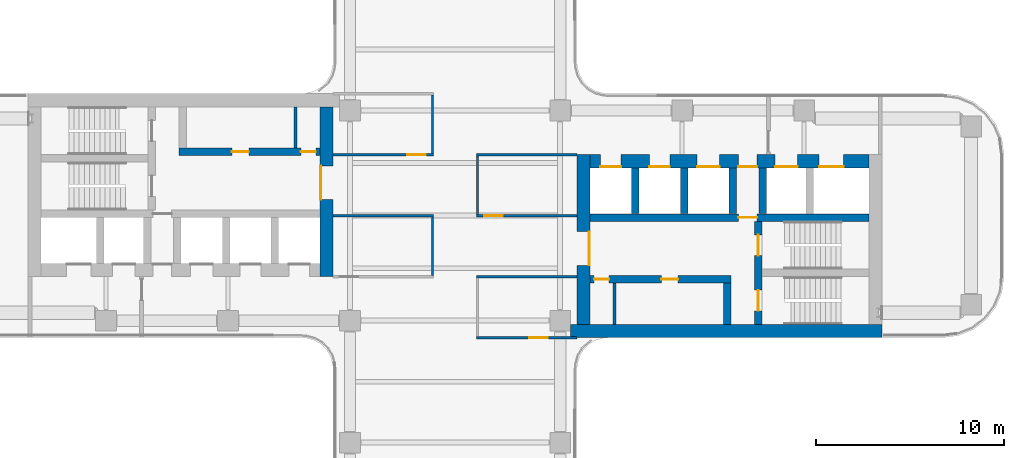
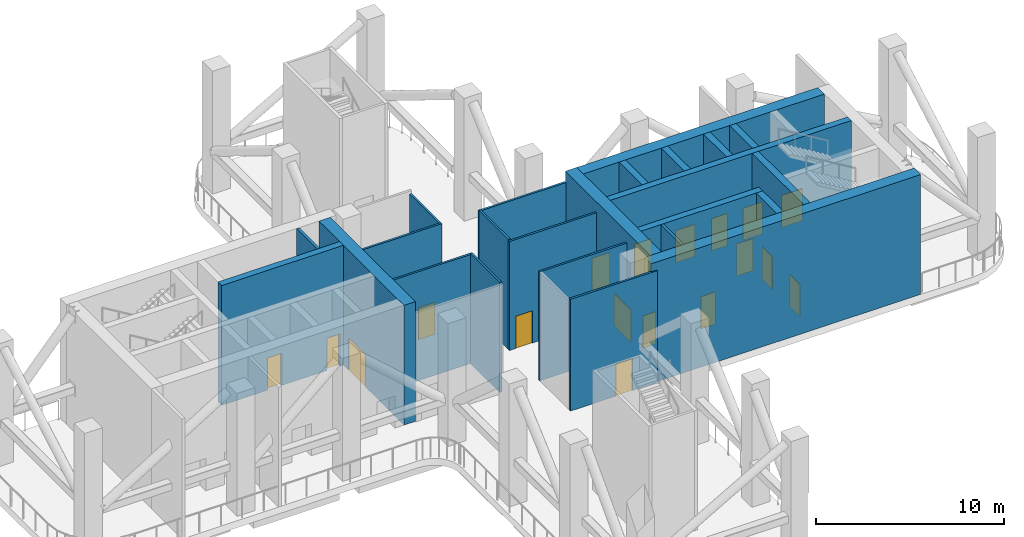
# One storey, part 5 of 11: 24 walls, 18 doors, 18 openings.
"""IFC4 building model written with IfcOpenShell, lengths in metres."""

from ifc_helpers import new_model, si_unit, direction, frame, frame_2d, origin, place, context, subcontext, project, spatial, rectangle, extrude, source, transform, mapped, material, layer, layer_set, type_object, element, fill, save


model = new_model("IFC4")

# Units and contexts
model_context = context("Model", 3, precision=1e-05, world=origin(), true_north=direction((0.0, 1.0)))
body_context = subcontext(model_context, "Body", "Model", "MODEL_VIEW")
ifc_project = project(units=[si_unit("LENGTHUNIT", "METRE"), si_unit("AREAUNIT", "SQUARE_METRE"), si_unit("VOLUMEUNIT", "CUBIC_METRE"), si_unit("PLANEANGLEUNIT", "RADIAN"), si_unit("MASSUNIT", "GRAM", prefix="KILO")], contexts=[model_context])

# Site, building, storey
site_placement = place(None, origin())
site = spatial("IfcSite", under=ifc_project, at=site_placement, CompositionType="ELEMENT")
building_placement = place(site_placement, origin())
building = spatial("IfcBuilding", under=site, at=building_placement, Name="Trellis Farm Tower", CompositionType="ELEMENT")
storey_placement = place(building_placement, frame((0.0, 0.0, 212.699951171875)))
storey = spatial("IfcBuildingStorey", under=building, at=storey_placement, Name="L47", CompositionType="ELEMENT", Elevation=212.699951171875)

# Wall, opening, door
ifc_material_1 = material(Name="Concrete C60/75", Category="concrete")
ifc_layer_1 = layer(ifc_material_1, 0.699951171875)
ifc_layer_set_1 = layer_set([ifc_layer_1], Name="CORE OUTER WALL 700 CONCRETE C60/75")
wall_type_1 = type_object("IfcWallType", Name="CORE OUTER WALL 700 CONCRETE C60/75", PredefinedType="SHEAR", material=ifc_layer_set_1)
shared_shape_1 = source(origin(), body_context, "Body", "SweptSolid", [
    extrude(rectangle(XDim=9.050048828125, YDim=0.699951171875, at=frame_2d((4.52490234375, 0.0))), origin(), (0.0, 0.0, 1.0), 7.800048828125),
])
wall_1_placement = place(storey_placement, frame((6.85009765625, -5.800048828125, 0.0), z_axis=(0.0, 0.0, 1.0), x_axis=(0.0, 1.0, 0.0)))
wall_1 = element("IfcWall", 1, at=wall_1_placement, inside=storey, type_object=wall_type_1, Name="Core wall", PredefinedType="SHEAR", context=body_context, shape_type="MappedRepresentation", body=[
    mapped(shared_shape_1, transform((0.0, 0.0, 0.0))),
])
shared_shape_2 = source(origin(), body_context, "Body", "SweptSolid", [
    extrude(rectangle(XDim=1.800048828125, YDim=2.10009765625, at=frame_2d((0.89990234375, 1.050048828125))), frame((0.0, 0.360107421875, 0.0), z_axis=(0.0, -1.0, 0.0), x_axis=(1.0, 0.0, 0.0)), (0.0, 0.0, 1.0), 0.72021484375),
])
opening_1_placement = place(wall_1_placement, frame((3.14990234375, 0.0, 0.0)))
opening_1 = element("IfcOpeningElement", 2, at=opening_1_placement, cuts=wall_1, Name="Opening DC1", PredefinedType="OPENING", context=body_context, shape_type="MappedRepresentation", body=[
    mapped(shared_shape_2, transform((0.0, 0.0, 0.0))),
])
ifc_material_2 = material(Name="Steel", Category="steel")
door_type_1 = type_object("IfcDoorType", Name="CORE FIRE DOOR DOUBLE 1800 X 2100", OperationType="DOUBLE_DOOR_SINGLE_SWING", PredefinedType="DOOR", material=ifc_material_2)
shared_shape_3 = source(origin(), body_context, "Body", "SweptSolid", [
    extrude(rectangle(XDim=1.800048828125, YDim=2.10009765625, at=frame_2d((0.89990234375, 1.050048828125))), frame((0.0, -0.27490234375, 0.0), z_axis=(0.0, -1.0, 0.0), x_axis=(1.0, 0.0, 0.0)), (0.0, 0.0, 1.0), 0.050048828125),
])
door_1_placement = place(opening_1_placement, origin())
door_1 = element("IfcDoor", 3, at=door_1_placement, inside=storey, type_object=door_type_1, Name="Core door", OperationType="DOUBLE_DOOR_SINGLE_SWING", OverallHeight=2.10009765625, OverallWidth=1.800048828125, PredefinedType="DOOR", context=body_context, shape_type="MappedRepresentation", body=[
    mapped(shared_shape_3, transform((0.0, 0.0, 0.0))),
])
fill(opening_1, door_1)

wall_2_placement = place(storey_placement, frame((-6.85009765625, 5.800048828125, 0.0), z_axis=(0.0, 0.0, 1.0), x_axis=(0.0, -1.0, 0.0)))
wall_2 = element("IfcWall", 4, at=wall_2_placement, inside=storey, type_object=wall_type_1, Name="Core wall", PredefinedType="SHEAR", context=body_context, shape_type="MappedRepresentation", body=[
    mapped(shared_shape_1, transform((0.0, 0.0, 0.0))),
])
opening_2_placement = place(wall_2_placement, frame((3.14990234375, 0.0, 0.0)))
opening_2 = element("IfcOpeningElement", 5, at=opening_2_placement, cuts=wall_2, Name="Opening DC87", PredefinedType="OPENING", context=body_context, shape_type="MappedRepresentation", body=[
    mapped(shared_shape_2, transform((0.0, 0.0, 0.0))),
])
door_2_placement = place(opening_2_placement, origin())
door_2 = element("IfcDoor", 6, at=door_2_placement, inside=storey, type_object=door_type_1, Name="Core door", OperationType="DOUBLE_DOOR_SINGLE_SWING", OverallHeight=2.10009765625, OverallWidth=1.800048828125, PredefinedType="DOOR", context=body_context, shape_type="MappedRepresentation", body=[
    mapped(shared_shape_3, transform((0.0, 0.0, 0.0))),
])
fill(opening_2, door_2)

# Walls
ifc_layer_2 = layer(ifc_material_1, 0.39990234375)
ifc_layer_set_2 = layer_set([ifc_layer_2], Name="CORE INNER WALL 400 CONCRETE C60/75")
wall_type_2 = type_object("IfcWallType", Name="CORE INNER WALL 400 CONCRETE C60/75", PredefinedType="SHEAR", material=ifc_layer_set_2)
shared_shape_4 = source(origin(), body_context, "Body", "SweptSolid", [
    extrude(rectangle(XDim=2.449951171875, YDim=0.39990234375, at=frame_2d((1.22509765625, 0.0))), origin(), (0.0, 0.0, 1.0), 7.800048828125),
])
for number, where, z_axis, x_axis, name in (
    (7, (9.60009765625, 0.10009765625, 0.0), (0.0, 0.0, 1.0), (0.0, 1.0, 0.0), "Core wall"),
    (8, (12.199951171875, 0.10009765625, 0.0), (0.0, 0.0, 1.0), (0.0, 1.0, 0.0), "Core wall"),
    (9, (14.800048828125, 0.10009765625, 0.0), (0.0, 0.0, 1.0), (0.0, 1.0, 0.0), "Core wall"),
    (10, (16.39990234375, 0.10009765625, 0.0), (0.0, 0.0, 1.0), (0.0, 1.0, 0.0), "Core wall"),
):
    element("IfcWall", number, at=place(storey_placement, frame(where, z_axis=z_axis, x_axis=x_axis)), inside=storey, type_object=wall_type_2, Name=name, PredefinedType="SHEAR", context=body_context, shape_type="MappedRepresentation", body=[
        mapped(shared_shape_4, transform((0.0, 0.0, 0.0))),
    ])
shared_shape_5 = source(origin(), body_context, "Body", "SweptSolid", [
    extrude(rectangle(XDim=16.60009765625, YDim=0.699951171875, at=frame_2d((8.300048828125, 0.0))), origin(), (0.0, 0.0, 1.0), 7.800048828125),
])
wall_3_placement = place(storey_placement, frame((6.14990234375, -6.14990234375, 0.0), z_axis=(0.0, 0.0, 1.0), x_axis=(1.0, 0.0, 0.0)))
element("IfcWall", 11, at=wall_3_placement, inside=storey, type_object=wall_type_1, Name="Core wall", PredefinedType="SHEAR", context=body_context, shape_type="MappedRepresentation", body=[
    mapped(shared_shape_5, transform((0.0, 0.0, 0.0))),
])

# Wall, openings, doors
shared_shape_6 = source(origin(), body_context, "Body", "SweptSolid", [
    extrude(rectangle(XDim=14.85009765625, YDim=0.699951171875, at=frame_2d((7.425048828125, 0.0))), origin(), (0.0, 0.0, 1.0), 7.800048828125),
])
wall_4_placement = place(storey_placement, frame((7.199951171875, 2.89990234375, 0.0), z_axis=(0.0, 0.0, 1.0), x_axis=(1.0, 0.0, 0.0)))
wall_4 = element("IfcWall", 12, at=wall_4_placement, inside=storey, type_object=wall_type_1, Name="Core wall", PredefinedType="SHEAR", context=body_context, shape_type="MappedRepresentation", body=[
    mapped(shared_shape_6, transform((0.0, 0.0, 0.0))),
])
shared_shape_7 = source(origin(), body_context, "Body", "SweptSolid", [
    extrude(rectangle(XDim=1.10009765625, YDim=2.10009765625, at=frame_2d((0.550048828125, 1.050048828125))), frame((0.0, 0.360107421875, 0.0), z_axis=(0.0, -1.0, 0.0), x_axis=(1.0, 0.0, 0.0)), (0.0, 0.0, 1.0), 0.72021484375),
])
opening_3_placement = place(wall_4_placement, frame((0.550048828125, 0.0, 0.0)))
opening_3 = element("IfcOpeningElement", 13, at=opening_3_placement, cuts=wall_4, Name="Opening LD4", PredefinedType="OPENING", context=body_context, shape_type="MappedRepresentation", body=[
    mapped(shared_shape_7, transform((0.0, 0.0, 0.0))),
])
opening_4_placement = place(wall_4_placement, frame((3.14990234375, 0.0, 0.0)))
opening_4 = element("IfcOpeningElement", 14, at=opening_4_placement, cuts=wall_4, Name="Opening LD5", PredefinedType="OPENING", context=body_context, shape_type="MappedRepresentation", body=[
    mapped(shared_shape_7, transform((0.0, 0.0, 0.0))),
])
shared_shape_8 = source(origin(), body_context, "Body", "SweptSolid", [
    extrude(rectangle(XDim=1.199951171875, YDim=2.10009765625, at=frame_2d((0.60009765625, 1.050048828125))), frame((0.0, 0.360107421875, 0.0), z_axis=(0.0, -1.0, 0.0), x_axis=(1.0, 0.0, 0.0)), (0.0, 0.0, 1.0), 0.72021484375),
])
opening_5_placement = place(wall_4_placement, frame((5.699951171875, 0.0, 0.0)))
opening_5 = element("IfcOpeningElement", 15, at=opening_5_placement, cuts=wall_4, Name="Opening LD6", PredefinedType="OPENING", context=body_context, shape_type="MappedRepresentation", body=[
    mapped(shared_shape_8, transform((0.0, 0.0, 0.0))),
])
shared_shape_9 = source(origin(), body_context, "Body", "SweptSolid", [
    extrude(rectangle(XDim=1.300048828125, YDim=2.10009765625, at=frame_2d((0.64990234375, 1.050048828125))), frame((0.0, 0.360107421875, 0.0), z_axis=(0.0, -1.0, 0.0), x_axis=(1.0, 0.0, 0.0)), (0.0, 0.0, 1.0), 0.72021484375),
])
opening_6_placement = place(wall_4_placement, frame((12.199951171875, 0.0, 0.0)))
opening_6 = element("IfcOpeningElement", 16, at=opening_6_placement, cuts=wall_4, Name="Opening LD7", PredefinedType="OPENING", context=body_context, shape_type="MappedRepresentation", body=[
    mapped(shared_shape_9, transform((0.0, 0.0, 0.0))),
])
opening_7_placement = place(wall_4_placement, frame((9.85009765625, 0.0, 0.0)))
opening_7 = element("IfcOpeningElement", 17, at=opening_7_placement, cuts=wall_4, Name="Opening LD8", PredefinedType="OPENING", context=body_context, shape_type="MappedRepresentation", body=[
    mapped(shared_shape_8, transform((0.0, 0.0, 0.0))),
])
shared_shape_10 = source(origin(), body_context, "Body", "SweptSolid", [
    extrude(rectangle(XDim=1.0, YDim=2.10009765625, at=frame_2d((0.5, 1.050048828125))), frame((0.0, 0.360107421875, 0.0), z_axis=(0.0, -1.0, 0.0), x_axis=(1.0, 0.0, 0.0)), (0.0, 0.0, 1.0), 0.72021484375),
])
opening_8_placement = place(wall_4_placement, frame((7.89990234375, 0.0, 0.0)))
opening_8 = element("IfcOpeningElement", 18, at=opening_8_placement, cuts=wall_4, Name="Opening DC6", PredefinedType="OPENING", context=body_context, shape_type="MappedRepresentation", body=[
    mapped(shared_shape_10, transform((0.0, 0.0, 0.0))),
])
door_type_2 = type_object("IfcDoorType", Name="CORE FIRE DOOR 1000 X 2100", OperationType="NOTDEFINED", PredefinedType="DOOR", material=ifc_material_2)
shared_shape_11 = source(origin(), body_context, "Body", "SweptSolid", [
    extrude(rectangle(XDim=1.0, YDim=2.10009765625, at=frame_2d((0.5, 1.050048828125))), frame((0.0, -0.27490234375, 0.0), z_axis=(0.0, -1.0, 0.0), x_axis=(1.0, 0.0, 0.0)), (0.0, 0.0, 1.0), 0.050048828125),
])
door_3_placement = place(opening_8_placement, origin())
door_3 = element("IfcDoor", 19, at=door_3_placement, inside=storey, type_object=door_type_2, Name="Core door", OperationType="SINGLE_SWING_LEFT", OverallHeight=2.10009765625, OverallWidth=1.0, PredefinedType="DOOR", context=body_context, shape_type="MappedRepresentation", body=[
    mapped(shared_shape_11, transform((0.0, 0.0, 0.0))),
])
fill(opening_8, door_3)
ifc_material_3 = material(Name="Stainless steel", Category="steel")
door_type_3 = type_object("IfcDoorType", Name="LIFT LANDING DOOR 1300 X 2100", OperationType="DOUBLE_DOOR_SLIDING", PredefinedType="DOOR", material=ifc_material_3)
shared_shape_12 = source(origin(), body_context, "Body", "SweptSolid", [
    extrude(rectangle(XDim=1.300048828125, YDim=2.10009765625, at=frame_2d((0.64990234375, 1.050048828125))), frame((0.0, -0.27490234375, 0.0), z_axis=(0.0, -1.0, 0.0), x_axis=(1.0, 0.0, 0.0)), (0.0, 0.0, 1.0), 0.050048828125),
])
door_4_placement = place(opening_6_placement, origin())
door_4 = element("IfcDoor", 20, at=door_4_placement, inside=storey, type_object=door_type_3, Name="Lift landing door", OperationType="DOUBLE_DOOR_SLIDING", OverallHeight=2.10009765625, OverallWidth=1.300048828125, PredefinedType="DOOR", context=body_context, shape_type="MappedRepresentation", body=[
    mapped(shared_shape_12, transform((0.0, 0.0, 0.0))),
])
fill(opening_6, door_4)
door_type_4 = type_object("IfcDoorType", Name="LIFT LANDING DOOR 1200 X 2100", OperationType="DOUBLE_DOOR_SLIDING", PredefinedType="DOOR", material=ifc_material_3)
shared_shape_13 = source(origin(), body_context, "Body", "SweptSolid", [
    extrude(rectangle(XDim=1.199951171875, YDim=2.10009765625, at=frame_2d((0.60009765625, 1.050048828125))), frame((0.0, -0.27490234375, 0.0), z_axis=(0.0, -1.0, 0.0), x_axis=(1.0, 0.0, 0.0)), (0.0, 0.0, 1.0), 0.050048828125),
])
door_5_placement = place(opening_5_placement, origin())
door_5 = element("IfcDoor", 21, at=door_5_placement, inside=storey, type_object=door_type_4, Name="Lift landing door", OperationType="DOUBLE_DOOR_SLIDING", OverallHeight=2.10009765625, OverallWidth=1.199951171875, PredefinedType="DOOR", context=body_context, shape_type="MappedRepresentation", body=[
    mapped(shared_shape_13, transform((0.0, 0.0, 0.0))),
])
fill(opening_5, door_5)
door_6_placement = place(opening_7_placement, origin())
door_6 = element("IfcDoor", 22, at=door_6_placement, inside=storey, type_object=door_type_4, Name="Lift landing door", OperationType="DOUBLE_DOOR_SLIDING", OverallHeight=2.10009765625, OverallWidth=1.199951171875, PredefinedType="DOOR", context=body_context, shape_type="MappedRepresentation", body=[
    mapped(shared_shape_13, transform((0.0, 0.0, 0.0))),
])
fill(opening_7, door_6)
door_type_5 = type_object("IfcDoorType", Name="LIFT LANDING DOOR 1100 X 2100", OperationType="DOUBLE_DOOR_SLIDING", PredefinedType="DOOR", material=ifc_material_3)
shared_shape_14 = source(origin(), body_context, "Body", "SweptSolid", [
    extrude(rectangle(XDim=1.10009765625, YDim=2.10009765625, at=frame_2d((0.550048828125, 1.050048828125))), frame((0.0, -0.27490234375, 0.0), z_axis=(0.0, -1.0, 0.0), x_axis=(1.0, 0.0, 0.0)), (0.0, 0.0, 1.0), 0.050048828125),
])
door_7_placement = place(opening_3_placement, origin())
door_7 = element("IfcDoor", 23, at=door_7_placement, inside=storey, type_object=door_type_5, Name="Lift landing door", OperationType="DOUBLE_DOOR_SLIDING", OverallHeight=2.10009765625, OverallWidth=1.10009765625, PredefinedType="DOOR", context=body_context, shape_type="MappedRepresentation", body=[
    mapped(shared_shape_14, transform((0.0, 0.0, 0.0))),
])
fill(opening_3, door_7)
door_8_placement = place(opening_4_placement, origin())
door_8 = element("IfcDoor", 24, at=door_8_placement, inside=storey, type_object=door_type_5, Name="Lift landing door", OperationType="DOUBLE_DOOR_SLIDING", OverallHeight=2.10009765625, OverallWidth=1.10009765625, PredefinedType="DOOR", context=body_context, shape_type="MappedRepresentation", body=[
    mapped(shared_shape_14, transform((0.0, 0.0, 0.0))),
])
fill(opening_4, door_8)

shared_shape_15 = source(origin(), body_context, "Body", "SweptSolid", [
    extrude(rectangle(XDim=7.5, YDim=0.39990234375, at=frame_2d((3.75, 0.0))), origin(), (0.0, 0.0, 1.0), 7.800048828125),
])
wall_5_placement = place(storey_placement, frame((7.199951171875, -3.39990234375, 0.0), z_axis=(0.0, 0.0, 1.0), x_axis=(1.0, 0.0, 0.0)))
wall_5 = element("IfcWall", 25, at=wall_5_placement, inside=storey, type_object=wall_type_2, Name="Core wall", PredefinedType="SHEAR", context=body_context, shape_type="MappedRepresentation", body=[
    mapped(shared_shape_15, transform((0.0, 0.0, 0.0))),
])
shared_shape_16 = source(origin(), body_context, "Body", "SweptSolid", [
    extrude(rectangle(XDim=0.800048828125, YDim=2.10009765625, at=frame_2d((0.39990234375, 1.050048828125))), frame((0.0, 0.2099609375, 0.0), z_axis=(0.0, -1.0, 0.0), x_axis=(1.0, 0.0, 0.0)), (0.0, 0.0, 1.0), 0.419921875),
])
opening_9_placement = place(wall_5_placement, frame((0.21240234375, 0.0, 0.0)))
opening_9 = element("IfcOpeningElement", 26, at=opening_9_placement, cuts=wall_5, Name="Opening DC51", PredefinedType="OPENING", context=body_context, shape_type="MappedRepresentation", body=[
    mapped(shared_shape_16, transform((0.0, 0.0, 0.0))),
])
shared_shape_17 = source(origin(), body_context, "Body", "SweptSolid", [
    extrude(rectangle(XDim=0.89990234375, YDim=2.10009765625, at=frame_2d((0.449951171875, 1.050048828125))), frame((0.0, 0.2099609375, 0.0), z_axis=(0.0, -1.0, 0.0), x_axis=(1.0, 0.0, 0.0)), (0.0, 0.0, 1.0), 0.419921875),
])
opening_10_placement = place(wall_5_placement, frame((3.78759765625, 0.0, 0.0)))
opening_10 = element("IfcOpeningElement", 27, at=opening_10_placement, cuts=wall_5, Name="Opening DC60", PredefinedType="OPENING", context=body_context, shape_type="MappedRepresentation", body=[
    mapped(shared_shape_17, transform((0.0, 0.0, 0.0))),
])
door_type_6 = type_object("IfcDoorType", Name="CORE FIRE DOOR 900 X 2100", OperationType="NOTDEFINED", PredefinedType="DOOR", material=ifc_material_2)
shared_shape_18 = source(origin(), body_context, "Body", "SweptSolid", [
    extrude(rectangle(XDim=0.89990234375, YDim=2.10009765625, at=frame_2d((0.449951171875, 1.050048828125))), frame((0.0, 0.02490234375, 0.0), z_axis=(0.0, -1.0, 0.0), x_axis=(1.0, 0.0, 0.0)), (0.0, 0.0, 1.0), 0.050048828125),
])
door_9_placement = place(opening_10_placement, origin())
door_9 = element("IfcDoor", 28, at=door_9_placement, inside=storey, type_object=door_type_6, Name="Core door", OperationType="SINGLE_SWING_RIGHT", OverallHeight=2.10009765625, OverallWidth=0.89990234375, PredefinedType="DOOR", context=body_context, shape_type="MappedRepresentation", body=[
    mapped(shared_shape_18, transform((0.0, 0.0, 0.0))),
])
fill(opening_10, door_9)
door_type_7 = type_object("IfcDoorType", Name="CORE FIRE DOOR 800 X 2100", OperationType="NOTDEFINED", PredefinedType="DOOR", material=ifc_material_2)
shared_shape_19 = source(origin(), body_context, "Body", "SweptSolid", [
    extrude(rectangle(XDim=0.800048828125, YDim=2.10009765625, at=frame_2d((0.39990234375, 1.050048828125))), frame((0.0, 0.02490234375, 0.0), z_axis=(0.0, -1.0, 0.0), x_axis=(1.0, 0.0, 0.0)), (0.0, 0.0, 1.0), 0.050048828125),
])
door_10_placement = place(opening_9_placement, origin())
door_10 = element("IfcDoor", 29, at=door_10_placement, inside=storey, type_object=door_type_7, Name="Core door", OperationType="SINGLE_SWING_LEFT", OverallHeight=2.10009765625, OverallWidth=0.800048828125, PredefinedType="DOOR", context=body_context, shape_type="MappedRepresentation", body=[
    mapped(shared_shape_19, transform((0.0, 0.0, 0.0))),
])
fill(opening_9, door_10)

wall_6_placement = place(storey_placement, frame((-7.199951171875, 3.39990234375, 0.0), z_axis=(0.0, 0.0, 1.0), x_axis=(-1.0, 0.0, 0.0)))
wall_6 = element("IfcWall", 30, at=wall_6_placement, inside=storey, type_object=wall_type_2, Name="Core wall", PredefinedType="SHEAR", context=body_context, shape_type="MappedRepresentation", body=[
    mapped(shared_shape_15, transform((0.0, 0.0, 0.0))),
])
opening_11_placement = place(wall_6_placement, frame((0.21240234375, 0.0, 0.0)))
opening_11 = element("IfcOpeningElement", 31, at=opening_11_placement, cuts=wall_6, Name="Opening DC137", PredefinedType="OPENING", context=body_context, shape_type="MappedRepresentation", body=[
    mapped(shared_shape_16, transform((0.0, 0.0, 0.0))),
])
opening_12_placement = place(wall_6_placement, frame((3.78759765625, 0.0, 0.0)))
opening_12 = element("IfcOpeningElement", 32, at=opening_12_placement, cuts=wall_6, Name="Opening DC146", PredefinedType="OPENING", context=body_context, shape_type="MappedRepresentation", body=[
    mapped(shared_shape_17, transform((0.0, 0.0, 0.0))),
])
door_11_placement = place(opening_12_placement, origin())
door_11 = element("IfcDoor", 33, at=door_11_placement, inside=storey, type_object=door_type_6, Name="Core door", OperationType="SINGLE_SWING_RIGHT", OverallHeight=2.10009765625, OverallWidth=0.89990234375, PredefinedType="DOOR", context=body_context, shape_type="MappedRepresentation", body=[
    mapped(shared_shape_18, transform((0.0, 0.0, 0.0))),
])
fill(opening_12, door_11)
door_12_placement = place(opening_11_placement, origin())
door_12 = element("IfcDoor", 34, at=door_12_placement, inside=storey, type_object=door_type_7, Name="Core door", OperationType="SINGLE_SWING_LEFT", OverallHeight=2.10009765625, OverallWidth=0.800048828125, PredefinedType="DOOR", context=body_context, shape_type="MappedRepresentation", body=[
    mapped(shared_shape_19, transform((0.0, 0.0, 0.0))),
])
fill(opening_11, door_12)

# Wall, opening, door
shared_shape_20 = source(origin(), body_context, "Body", "SweptSolid", [
    extrude(rectangle(XDim=14.85009765625, YDim=0.39990234375, at=frame_2d((7.425048828125, 0.0))), origin(), (0.0, 0.0, 1.0), 7.800048828125),
])
wall_7_placement = place(storey_placement, frame((7.199951171875, -0.10009765625, 0.0), z_axis=(0.0, 0.0, 1.0), x_axis=(1.0, 0.0, 0.0)))
wall_7 = element("IfcWall", 35, at=wall_7_placement, inside=storey, type_object=wall_type_2, Name="Core wall", PredefinedType="SHEAR", context=body_context, shape_type="MappedRepresentation", body=[
    mapped(shared_shape_20, transform((0.0, 0.0, 0.0))),
])
shared_shape_21 = source(origin(), body_context, "Body", "SweptSolid", [
    extrude(rectangle(XDim=1.0, YDim=2.10009765625, at=frame_2d((0.5, 1.050048828125))), frame((0.0, 0.2099609375, 0.0), z_axis=(0.0, -1.0, 0.0), x_axis=(1.0, 0.0, 0.0)), (0.0, 0.0, 1.0), 0.419921875),
])
opening_13_placement = place(wall_7_placement, frame((7.89990234375, 0.0, 0.0)))
opening_13 = element("IfcOpeningElement", 36, at=opening_13_placement, cuts=wall_7, Name="Opening DC5", PredefinedType="OPENING", context=body_context, shape_type="MappedRepresentation", body=[
    mapped(shared_shape_21, transform((0.0, 0.0, 0.0))),
])
shared_shape_22 = source(origin(), body_context, "Body", "SweptSolid", [
    extrude(rectangle(XDim=1.0, YDim=2.10009765625, at=frame_2d((0.5, 1.050048828125))), frame((0.0, 0.02490234375, 0.0), z_axis=(0.0, -1.0, 0.0), x_axis=(1.0, 0.0, 0.0)), (0.0, 0.0, 1.0), 0.050048828125),
])
door_13_placement = place(opening_13_placement, origin())
door_13 = element("IfcDoor", 37, at=door_13_placement, inside=storey, type_object=door_type_2, Name="Core door", OperationType="SINGLE_SWING_RIGHT", OverallHeight=2.10009765625, OverallWidth=1.0, PredefinedType="DOOR", context=body_context, shape_type="MappedRepresentation", body=[
    mapped(shared_shape_22, transform((0.0, 0.0, 0.0))),
])
fill(opening_13, door_13)

# Wall, openings, doors
shared_shape_23 = source(origin(), body_context, "Body", "SweptSolid", [
    extrude(rectangle(XDim=5.5, YDim=0.39990234375, at=frame_2d((2.75, 0.0))), origin(), (0.0, 0.0, 1.0), 7.800048828125),
])
wall_8_placement = place(storey_placement, frame((16.14990234375, -5.800048828125, 0.0), z_axis=(0.0, 0.0, 1.0), x_axis=(0.0, 1.0, 0.0)))
wall_8 = element("IfcWall", 38, at=wall_8_placement, inside=storey, type_object=wall_type_2, Name="Core wall", PredefinedType="SHEAR", context=body_context, shape_type="MappedRepresentation", body=[
    mapped(shared_shape_23, transform((0.0, 0.0, 0.0))),
])
shared_shape_24 = source(origin(), body_context, "Body", "SweptSolid", [
    extrude(rectangle(XDim=1.10009765625, YDim=2.10009765625, at=frame_2d((0.550048828125, 1.050048828125))), frame((0.0, 0.2099609375, 0.0), z_axis=(0.0, -1.0, 0.0), x_axis=(1.0, 0.0, 0.0)), (0.0, 0.0, 1.0), 0.419921875),
])
opening_14_placement = place(wall_8_placement, frame((0.72509765625, 0.0, 0.0)))
opening_14 = element("IfcOpeningElement", 39, at=opening_14_placement, cuts=wall_8, Name="Opening DC2", PredefinedType="OPENING", context=body_context, shape_type="MappedRepresentation", body=[
    mapped(shared_shape_24, transform((0.0, 0.0, 0.0))),
])
opening_15_placement = place(wall_8_placement, frame((3.675048828125, 0.0, 0.0)))
opening_15 = element("IfcOpeningElement", 40, at=opening_15_placement, cuts=wall_8, Name="Opening DC3", PredefinedType="OPENING", context=body_context, shape_type="MappedRepresentation", body=[
    mapped(shared_shape_24, transform((0.0, 0.0, 0.0))),
])
door_type_8 = type_object("IfcDoorType", Name="CORE FIRE DOOR 1100 X 2100", OperationType="NOTDEFINED", PredefinedType="DOOR", material=ifc_material_2)
shared_shape_25 = source(origin(), body_context, "Body", "SweptSolid", [
    extrude(rectangle(XDim=1.10009765625, YDim=2.10009765625, at=frame_2d((0.550048828125, 1.050048828125))), frame((0.0, 0.02490234375, 0.0), z_axis=(0.0, -1.0, 0.0), x_axis=(1.0, 0.0, 0.0)), (0.0, 0.0, 1.0), 0.050048828125),
])
door_14_placement = place(opening_14_placement, origin())
door_14 = element("IfcDoor", 41, at=door_14_placement, inside=storey, type_object=door_type_8, Name="Core door", OperationType="SINGLE_SWING_RIGHT", OverallHeight=2.10009765625, OverallWidth=1.10009765625, PredefinedType="DOOR", context=body_context, shape_type="MappedRepresentation", body=[
    mapped(shared_shape_25, transform((0.0, 0.0, 0.0))),
])
fill(opening_14, door_14)
door_15_placement = place(opening_15_placement, origin())
door_15 = element("IfcDoor", 42, at=door_15_placement, inside=storey, type_object=door_type_8, Name="Core door", OperationType="SINGLE_SWING_LEFT", OverallHeight=2.10009765625, OverallWidth=1.10009765625, PredefinedType="DOOR", context=body_context, shape_type="MappedRepresentation", body=[
    mapped(shared_shape_25, transform((0.0, 0.0, 0.0))),
])
fill(opening_15, door_15)

# Walls
shared_shape_26 = source(origin(), body_context, "Body", "SweptSolid", [
    extrude(rectangle(XDim=2.199951171875, YDim=0.39990234375, at=frame_2d((1.10009765625, 0.0))), origin(), (0.0, 0.0, 1.0), 7.800048828125),
])
wall_9_placement = place(storey_placement, frame((14.5, -5.800048828125, 0.0), z_axis=(0.0, 0.0, 1.0), x_axis=(0.0, 1.0, 0.0)))
element("IfcWall", 43, at=wall_9_placement, inside=storey, type_object=wall_type_2, Name="Core wall", PredefinedType="SHEAR", context=body_context, shape_type="MappedRepresentation", body=[
    mapped(shared_shape_26, transform((0.0, 0.0, 0.0))),
])
ifc_material_4 = material(Name="Masonry blockwork", Category="masonry")
ifc_layer_3 = layer(ifc_material_4, 0.14990234375)
ifc_layer_set_3 = layer_set([ifc_layer_3], Name="CORE PARTITION 150 BLOCKWORK")
wall_type_3 = type_object("IfcWallType", Name="CORE PARTITION 150 BLOCKWORK", PredefinedType="PARTITIONING", material=ifc_layer_set_3)
shared_shape_27 = source(origin(), body_context, "Body", "SweptSolid", [
    extrude(rectangle(XDim=2.199951171875, YDim=0.14990234375, at=frame_2d((1.10009765625, 0.0))), origin(), (0.0, 0.0, 1.0), 7.800048828125),
])
for number, where, z_axis, x_axis, name in (
    (44, (8.5, -5.800048828125, 0.0), (0.0, 0.0, 1.0), (0.0, 1.0, 0.0), "Core room partition"),
    (45, (-8.5, 5.800048828125, 0.0), (0.0, 0.0, 1.0), (0.0, -1.0, 0.0), "Core room partition"),
):
    element("IfcWall", number, at=place(storey_placement, frame(where, z_axis=z_axis, x_axis=x_axis)), inside=storey, type_object=wall_type_3, Name=name, PredefinedType="PARTITIONING", context=body_context, shape_type="MappedRepresentation", body=[
        mapped(shared_shape_27, transform((0.0, 0.0, 0.0))),
    ])
ifc_material_5 = material(Name="Plasterboard on steel studs, mineral wool", Category="steel")
ifc_layer_4 = layer(ifc_material_5, 0.125)
ifc_layer_set_4 = layer_set([ifc_layer_4], Name="PARTITION 125 STUD EI 60")
wall_type_4 = type_object("IfcWallType", Name="PARTITION 125 STUD EI 60", PredefinedType="PARTITIONING", material=ifc_layer_set_4)
shared_shape_28 = source(origin(), body_context, "Body", "SweptSolid", [
    extrude(rectangle(XDim=3.125, YDim=0.125, at=frame_2d((1.5625, 0.0))), origin(), (0.0, 0.0, 1.0), 7.096435546875),
])
wall_10_placement = place(storey_placement, frame((-1.199951171875, 3.3125, 0.0), z_axis=(0.0, 0.0, 1.0), x_axis=(0.0, 1.0, 0.0)))
element("IfcWall", 46, at=wall_10_placement, inside=storey, type_object=wall_type_4, Name="Partition PW1", PredefinedType="PARTITIONING", context=body_context, shape_type="MappedRepresentation", body=[
    mapped(shared_shape_28, transform((0.0, 0.0, 0.0))),
])
shared_shape_29 = source(origin(), body_context, "Body", "SweptSolid", [
    extrude(rectangle(XDim=3.125, YDim=0.125, at=frame_2d((1.5625, 0.0))), origin(), (0.0, 0.0, 1.0), 7.16796875),
])
for number, where, z_axis, x_axis, name in (
    (47, (-1.199951171875, -3.1875, 0.0), (0.0, 0.0, 1.0), (0.0, 1.0, 0.0), "Partition PW1"),
    (48, (1.199951171875, 0.0625, 0.0), (0.0, 0.0, 1.0), (0.0, 1.0, 0.0), "Partition PW1"),
):
    element("IfcWall", number, at=place(storey_placement, frame(where, z_axis=z_axis, x_axis=x_axis)), inside=storey, type_object=wall_type_4, Name=name, PredefinedType="PARTITIONING", context=body_context, shape_type="MappedRepresentation", body=[
        mapped(shared_shape_29, transform((0.0, 0.0, 0.0))),
    ])
shared_shape_30 = source(origin(), body_context, "Body", "SweptSolid", [
    extrude(rectangle(XDim=5.362548828125, YDim=0.125, at=frame_2d((2.68115234375, 0.0))), origin(), (0.0, 0.0, 1.0), 7.096435546875),
])
for number, where, z_axis, x_axis, name in (
    (49, (6.5, -3.25, 0.0), (0.0, 0.0, 1.0), (-1.0, 0.0, 0.0), "Partition PW1"),
    (50, (-6.5, 0.0, 0.0), (0.0, 0.0, 1.0), (1.0, 0.0, 0.0), "Partition PW1"),
):
    element("IfcWall", number, at=place(storey_placement, frame(where, z_axis=z_axis, x_axis=x_axis)), inside=storey, type_object=wall_type_4, Name=name, PredefinedType="PARTITIONING", context=body_context, shape_type="MappedRepresentation", body=[
        mapped(shared_shape_30, transform((0.0, 0.0, 0.0))),
    ])

# Wall, opening, door
wall_11_placement = place(storey_placement, frame((1.137451171875, 0.0, 0.0), z_axis=(0.0, 0.0, 1.0), x_axis=(1.0, 0.0, 0.0)))
wall_11 = element("IfcWall", 51, at=wall_11_placement, inside=storey, type_object=wall_type_4, Name="Partition PW1", PredefinedType="PARTITIONING", context=body_context, shape_type="MappedRepresentation", body=[
    mapped(shared_shape_30, transform((0.0, 0.0, 0.0))),
])
shared_shape_31 = source(origin(), body_context, "Body", "SweptSolid", [
    extrude(rectangle(XDim=1.0, YDim=2.10009765625, at=frame_2d((0.5, 1.050048828125))), frame((0.0, 0.072509765625, 0.0), z_axis=(0.0, -1.0, 0.0), x_axis=(1.0, 0.0, 0.0)), (0.0, 0.0, 1.0), 0.14501953125),
])
opening_16_placement = place(wall_11_placement, frame((0.41259765625, 0.0, 0.0)))
opening_16 = element("IfcOpeningElement", 52, at=opening_16_placement, cuts=wall_11, Name="Opening D303", PredefinedType="OPENING", context=body_context, shape_type="MappedRepresentation", body=[
    mapped(shared_shape_31, transform((0.0, 0.0, 0.0))),
])
ifc_material_6 = material(Name="Fire-rated timber door leaf in a hollow metal frame", Category="wood")
door_type_9 = type_object("IfcDoorType", Name="DOOR 1000x2100 FD60", OperationType="NOTDEFINED", PredefinedType="DOOR", material=ifc_material_6)
door_16_placement = place(opening_16_placement, origin())
door_16 = element("IfcDoor", 53, at=door_16_placement, inside=storey, type_object=door_type_9, Name="Door D303", OperationType="SINGLE_SWING_LEFT", OverallHeight=2.10009765625, OverallWidth=1.0, PredefinedType="DOOR", context=body_context, shape_type="MappedRepresentation", body=[
    mapped(shared_shape_22, transform((0.0, 0.0, 0.0))),
])
fill(opening_16, door_16)

wall_12_placement = place(storey_placement, frame((-6.5, 3.25, 0.0), z_axis=(0.0, 0.0, 1.0), x_axis=(1.0, 0.0, 0.0)))
wall_12 = element("IfcWall", 54, at=wall_12_placement, inside=storey, type_object=wall_type_4, Name="Partition PW1", PredefinedType="PARTITIONING", context=body_context, shape_type="MappedRepresentation", body=[
    mapped(shared_shape_30, transform((0.0, 0.0, 0.0))),
])
opening_17_placement = place(wall_12_placement, frame((3.949951171875, 0.0, 0.0)))
opening_17 = element("IfcOpeningElement", 55, at=opening_17_placement, cuts=wall_12, Name="Opening D304", PredefinedType="OPENING", context=body_context, shape_type="MappedRepresentation", body=[
    mapped(shared_shape_31, transform((0.0, 0.0, 0.0))),
])
door_17_placement = place(opening_17_placement, origin())
door_17 = element("IfcDoor", 56, at=door_17_placement, inside=storey, type_object=door_type_9, Name="Door D304", OperationType="SINGLE_SWING_RIGHT", OverallHeight=2.10009765625, OverallWidth=1.0, PredefinedType="DOOR", context=body_context, shape_type="MappedRepresentation", body=[
    mapped(shared_shape_22, transform((0.0, 0.0, 0.0))),
])
fill(opening_17, door_17)

# Wall
wall_13_placement = place(storey_placement, frame((1.137451171875, 3.25, 0.0), z_axis=(0.0, 0.0, 1.0), x_axis=(1.0, 0.0, 0.0)))
element("IfcWall", 57, at=wall_13_placement, inside=storey, type_object=wall_type_4, Name="Partition PW1", PredefinedType="PARTITIONING", context=body_context, shape_type="MappedRepresentation", body=[
    mapped(shared_shape_30, transform((0.0, 0.0, 0.0))),
])

# Wall, opening, door
shared_shape_32 = source(origin(), body_context, "Body", "SweptSolid", [
    extrude(rectangle(XDim=5.362548828125, YDim=0.125, at=frame_2d((2.68115234375, 0.0))), origin(), (0.0, 0.0, 1.0), 7.280029296875),
])
wall_14_placement = place(storey_placement, frame((6.5, -6.5, 0.0), z_axis=(0.0, 0.0, 1.0), x_axis=(-1.0, 0.0, 0.0)))
wall_14 = element("IfcWall", 58, at=wall_14_placement, inside=storey, type_object=wall_type_4, Name="Partition PW1", PredefinedType="PARTITIONING", context=body_context, shape_type="MappedRepresentation", body=[
    mapped(shared_shape_32, transform((0.0, 0.0, 0.0))),
])
opening_18_placement = place(wall_14_placement, frame((1.550048828125, 0.0, 0.0)))
opening_18 = element("IfcOpeningElement", 59, at=opening_18_placement, cuts=wall_14, Name="Opening D301", PredefinedType="OPENING", context=body_context, shape_type="MappedRepresentation", body=[
    mapped(shared_shape_31, transform((0.0, 0.0, 0.0))),
])
door_18_placement = place(opening_18_placement, origin())
door_18 = element("IfcDoor", 60, at=door_18_placement, inside=storey, type_object=door_type_9, Name="Door D301", OperationType="SINGLE_SWING_LEFT", OverallHeight=2.10009765625, OverallWidth=1.0, PredefinedType="DOOR", context=body_context, shape_type="MappedRepresentation", body=[
    mapped(shared_shape_22, transform((0.0, 0.0, 0.0))),
])
fill(opening_18, door_18)

save(model, "model.ifc")
